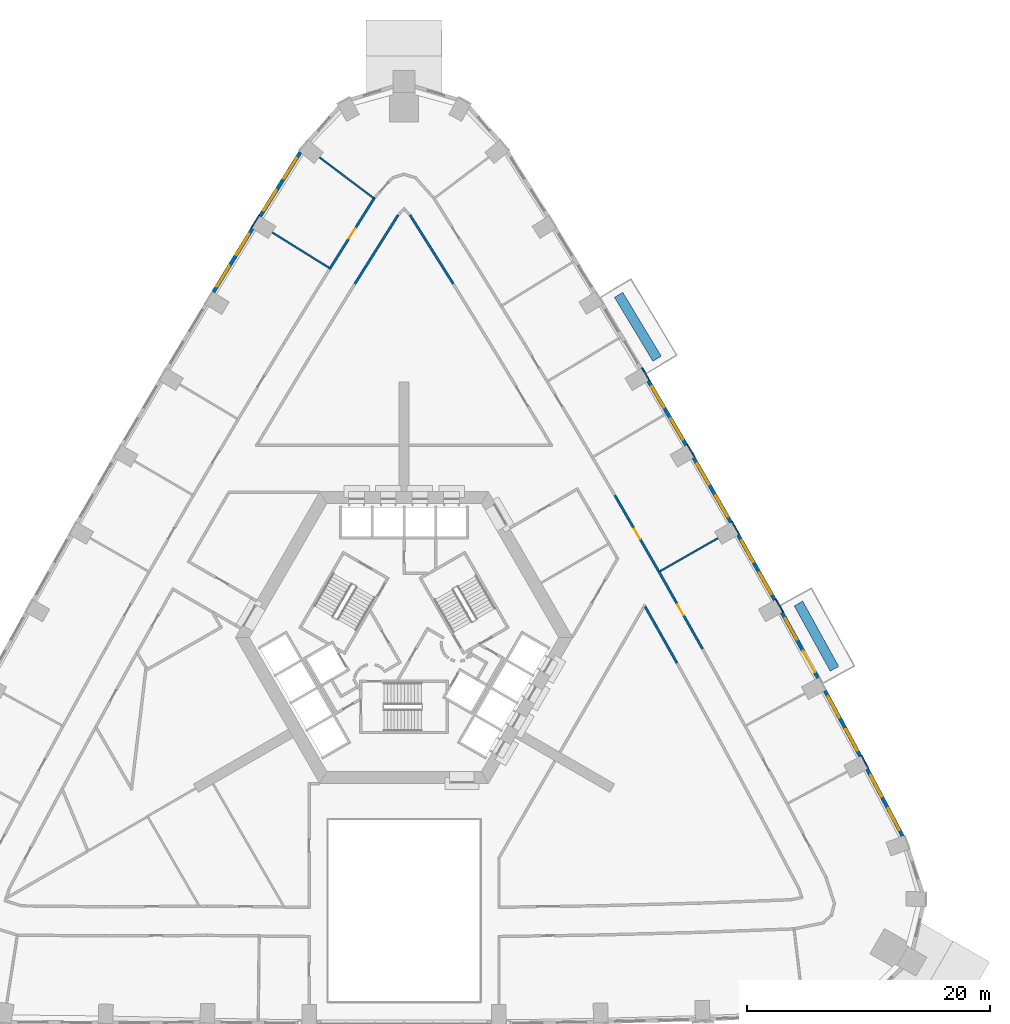
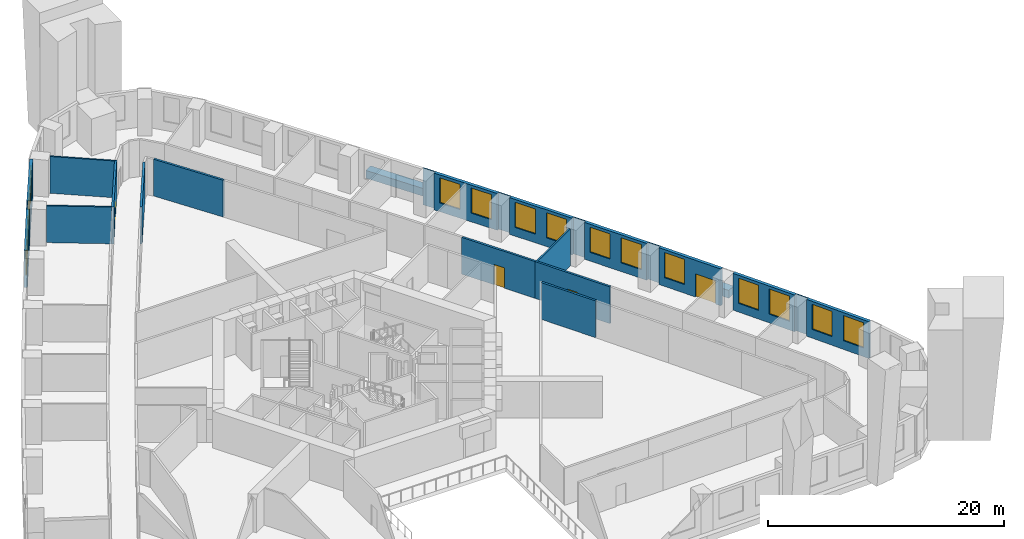
# One storey, part 11 of 16: 25 walls, 15 windows, 4 doors, 19 openings.
"""IFC4 building model written with IfcOpenShell, lengths in metres."""

from ifc_helpers import new_model, si_unit, direction, frame, frame_2d, origin, place, context, subcontext, project, spatial, rectangle, extrude, material, layer, layer_set, type_object, element, fill, save


model = new_model("IFC4")

# Units and contexts
model_context = context("Model", 3, precision=1e-05, world=origin(), true_north=direction((0.0, 1.0)))
body_context = subcontext(model_context, "Body", "Model", "MODEL_VIEW")
ifc_project = project(units=[si_unit("LENGTHUNIT", "METRE"), si_unit("AREAUNIT", "SQUARE_METRE"), si_unit("VOLUMEUNIT", "CUBIC_METRE"), si_unit("PLANEANGLEUNIT", "RADIAN"), si_unit("MASSUNIT", "GRAM", prefix="KILO")], contexts=[model_context])

# Site, building, storey
site_placement = place(None, origin())
site = spatial("IfcSite", under=ifc_project, at=site_placement, CompositionType="ELEMENT")
building_placement = place(site_placement, origin())
building = spatial("IfcBuilding", under=site, at=building_placement, Name="Entoto Arch Interchange Tower", CompositionType="ELEMENT")
storey_placement = place(building_placement, frame((0.0, 0.0, 60.199951171875)))
storey = spatial("IfcBuildingStorey", under=building, at=storey_placement, Name="L12", CompositionType="ELEMENT", Elevation=60.199951171875)

# Walls
ifc_material_1 = material(Name="Gypsum board partition on steel studs", Category="steel")
ifc_layer_1 = layer(ifc_material_1, 0.14990234375)
ifc_layer_set_1 = layer_set([ifc_layer_1], Name="Gypsum board partition on steel studs")
wall_type_1 = type_object("IfcWallType", Name="PARTITION 150", PredefinedType="PARTITIONING", material=ifc_layer_set_1)
wall_1_placement = place(storey_placement, frame((21.032958984375, 7.952880859375, 0.0), z_axis=(0.0, 0.0, 1.0), x_axis=(0.868311678357, 0.496018980715, 0.0)))
element("IfcWall", 1, at=wall_1_placement, inside=storey, type_object=wall_type_1, Name="wall:L12:p137", PredefinedType="PARTITIONING", context=body_context, shape_type="SweptSolid", body=[
    extrude(rectangle(XDim=5.479736328125, YDim=0.14990234375, at=frame_2d((2.73974609375, 0.0))), origin(), (0.0, 0.0, 1.0), 3.800048828125),
])
wall_2_placement = place(storey_placement, frame((-2.466064453125, 38.580078125, 0.0), z_axis=(0.0, 0.0, 1.0), x_axis=(-0.798796148738, 0.601601789193, 0.0)))
element("IfcWall", 2, at=wall_2_placement, inside=storey, type_object=wall_type_1, Name="wall:L12:p142", PredefinedType="PARTITIONING", context=body_context, shape_type="SweptSolid", body=[
    extrude(rectangle(XDim=5.604736328125, YDim=0.14990234375, at=frame_2d((2.80224609375, 0.0))), origin(), (0.0, 0.0, 1.0), 3.800048828125),
])
wall_3_placement = place(storey_placement, frame((-6.166015625, 32.885009765625, 0.0), z_axis=(0.0, 0.0, 1.0), x_axis=(-0.84915518202, 0.528143424506, 0.0)))
element("IfcWall", 3, at=wall_3_placement, inside=storey, type_object=wall_type_1, Name="wall:L12:p143", PredefinedType="PARTITIONING", context=body_context, shape_type="SweptSolid", body=[
    extrude(rectangle(XDim=5.479736328125, YDim=0.14990234375, at=frame_2d((2.73974609375, 0.0))), origin(), (0.0, 0.0, 1.0), 3.800048828125),
])
ifc_layer_2 = layer(ifc_material_1, 0.199951171875)
ifc_layer_set_2 = layer_set([ifc_layer_2], Name="Gypsum board partition on steel studs")
wall_type_2 = type_object("IfcWallType", Name="PARTITION 200", PredefinedType="PARTITIONING", material=ifc_layer_set_2)
for number, where, z_axis, x_axis, name in (
    (4, (4.04296875, 31.56396484375, 0.0), (0.0, 0.0, 1.0), (-0.532301094997, 0.846555104092, 0.0), "wall:L12:p011"),
    (5, (-0.489013671875, 37.216064453125, 0.0), (0.0, 0.0, 1.0), (-0.532301094997, -0.846555104092, 0.0), "wall:L12:p014"),
):
    element("IfcWall", number, at=place(storey_placement, frame(where, z_axis=z_axis, x_axis=x_axis)), inside=storey, type_object=wall_type_2, Name=name, PredefinedType="PARTITIONING", context=body_context, shape_type="SweptSolid", body=[
        extrude(rectangle(XDim=6.676513671875, YDim=0.199951171875, at=frame_2d((3.33837890625, 0.0))), origin(), (0.0, 0.0, 1.0), 3.800048828125),
    ])
wall_4_placement = place(storey_placement, frame((22.419921875, 0.4150390625, 0.0), z_axis=(0.0, 0.0, 1.0), x_axis=(-0.491823859571, 0.870694717543, 0.0)))
element("IfcWall", 6, at=wall_4_placement, inside=storey, type_object=wall_type_2, Name="wall:L12:p026", PredefinedType="PARTITIONING", context=body_context, shape_type="SweptSolid", body=[
    extrude(rectangle(XDim=5.30859375, YDim=0.199951171875, at=frame_2d((2.654296875, 0.0))), origin(), (0.0, 0.0, 1.0), 3.800048828125),
])

# Wall, opening, door
wall_5_placement = place(storey_placement, frame((20.908935546875, 7.968994140625, 0.0), z_axis=(0.0, 0.0, 1.0), x_axis=(0.491808171064, -0.870703579225, 0.0)))
wall_5 = element("IfcWall", 7, at=wall_5_placement, inside=storey, type_object=wall_type_2, Name="wall:L12:p052", PredefinedType="PARTITIONING", context=body_context, shape_type="SweptSolid", body=[
    extrude(rectangle(XDim=7.33203125, YDim=0.199951171875, at=frame_2d((3.666015625, 0.0))), origin(), (0.0, 0.0, 1.0), 3.800048828125),
])
opening_1_placement = place(wall_5_placement, frame((3.166015625, 0.0, 0.0)))
opening_1 = element("IfcOpeningElement", 8, at=opening_1_placement, cuts=wall_5, Name="Opening L12-D04", PredefinedType="OPENING", context=body_context, shape_type="SweptSolid", body=[
    extrude(rectangle(XDim=1.0, YDim=2.10009765625, at=frame_2d((0.5, 1.050048828125))), frame((0.0, 0.10986328125, 0.0), z_axis=(0.0, -1.0, 0.0), x_axis=(1.0, 0.0, 0.0)), (0.0, 0.0, 1.0), 0.219970703125),
])
ifc_material_2 = material(Name="Timber door leaf in Steel S235 frame", Category="steel")
door_type_1 = type_object("IfcDoorType", Name="DOOR DS-10 1000x2100", OperationType="SINGLE_SWING_LEFT", PredefinedType="DOOR", material=ifc_material_2)
door_1_placement = place(opening_1_placement, origin())
door_1 = element("IfcDoor", 9, at=door_1_placement, inside=storey, type_object=door_type_1, Name="door:L12:04", OperationType="SINGLE_SWING_RIGHT", OverallHeight=2.10009765625, OverallWidth=1.0, PredefinedType="DOOR", context=body_context, shape_type="SweptSolid", body=[
    extrude(rectangle(XDim=1.0, YDim=2.10009765625, at=frame_2d((0.5, 1.050048828125))), frame((0.0, 0.02490234375, 0.0), z_axis=(0.0, -1.0, 0.0), x_axis=(1.0, 0.0, 0.0)), (0.0, 0.0, 1.0), 0.050048828125),
])
fill(opening_1, door_1)

wall_6_placement = place(storey_placement, frame((17.318115234375, 14.18701171875, 0.0), z_axis=(0.0, 0.0, 1.0), x_axis=(0.499986381413, -0.866033266336, 0.0)))
wall_6 = element("IfcWall", 10, at=wall_6_placement, inside=storey, type_object=wall_type_2, Name="wall:L12:p055", PredefinedType="PARTITIONING", context=body_context, shape_type="SweptSolid", body=[
    extrude(rectangle(XDim=7.179931640625, YDim=0.199951171875, at=frame_2d((3.58984375, 0.0))), origin(), (0.0, 0.0, 1.0), 3.800048828125),
])
opening_2_placement = place(wall_6_placement, frame((3.1650390625, 0.0, 0.0)))
opening_2 = element("IfcOpeningElement", 11, at=opening_2_placement, cuts=wall_6, Name="Opening L12-D05", PredefinedType="OPENING", context=body_context, shape_type="SweptSolid", body=[
    extrude(rectangle(XDim=1.0, YDim=2.10009765625, at=frame_2d((0.5, 1.050048828125))), frame((0.0, 0.10986328125, 0.0), z_axis=(0.0, -1.0, 0.0), x_axis=(1.0, 0.0, 0.0)), (0.0, 0.0, 1.0), 0.219970703125),
])
door_2_placement = place(opening_2_placement, origin())
door_2 = element("IfcDoor", 12, at=door_2_placement, inside=storey, type_object=door_type_1, Name="door:L12:05", OperationType="SINGLE_SWING_LEFT", OverallHeight=2.10009765625, OverallWidth=1.0, PredefinedType="DOOR", context=body_context, shape_type="SweptSolid", body=[
    extrude(rectangle(XDim=1.0, YDim=2.10009765625, at=frame_2d((0.5, 1.050048828125))), frame((0.0, 0.02490234375, 0.0), z_axis=(0.0, -1.0, 0.0), x_axis=(1.0, 0.0, 0.0)), (0.0, 0.0, 1.0), 0.050048828125),
])
fill(opening_2, door_2)

wall_7_placement = place(storey_placement, frame((-6.12109375, 32.76806640625, 0.0), z_axis=(0.0, 0.0, 1.0), x_axis=(0.532309351336, 0.846549912574, 0.0)))
wall_7 = element("IfcWall", 13, at=wall_7_placement, inside=storey, type_object=wall_type_2, Name="wall:L12:p066", PredefinedType="PARTITIONING", context=body_context, shape_type="SweptSolid", body=[
    extrude(rectangle(XDim=6.9658203125, YDim=0.199951171875, at=frame_2d((3.48291015625, 0.0))), origin(), (0.0, 0.0, 1.0), 3.800048828125),
])
opening_3_placement = place(wall_7_placement, frame((2.98291015625, 0.0, 0.0)))
opening_3 = element("IfcOpeningElement", 14, at=opening_3_placement, cuts=wall_7, Name="Opening L12-D10", PredefinedType="OPENING", context=body_context, shape_type="SweptSolid", body=[
    extrude(rectangle(XDim=1.0, YDim=2.10009765625, at=frame_2d((0.5, 1.050048828125))), frame((0.0, 0.10986328125, 0.0), z_axis=(0.0, -1.0, 0.0), x_axis=(1.0, 0.0, 0.0)), (0.0, 0.0, 1.0), 0.219970703125),
])
door_3_placement = place(opening_3_placement, origin())
door_3 = element("IfcDoor", 15, at=door_3_placement, inside=storey, type_object=door_type_1, Name="door:L12:10", OperationType="SINGLE_SWING_LEFT", OverallHeight=2.10009765625, OverallWidth=1.0, PredefinedType="DOOR", context=body_context, shape_type="SweptSolid", body=[
    extrude(rectangle(XDim=1.0, YDim=2.10009765625, at=frame_2d((0.5, 1.050048828125))), frame((0.0, 0.02490234375, 0.0), z_axis=(0.0, -1.0, 0.0), x_axis=(1.0, 0.0, 0.0)), (0.0, 0.0, 1.0), 0.050048828125),
])
fill(opening_3, door_3)

# Walls
ifc_material_3 = material(Name="Board-marked precast concrete C50/60", Category="concrete")
ifc_layer_3 = layer(ifc_material_3, 0.800048828125)
ifc_layer_set_3 = layer_set([ifc_layer_3], Name="Board-marked precast concrete C50/60")
wall_type_3 = type_object("IfcWallType", Name="PLANTER RC 800 Afrocarpus falcatus", PredefinedType="STANDARD", material=ifc_layer_set_3)
wall_8_placement = place(storey_placement, frame((20.7890625, 25.4130859375, 0.0), z_axis=(0.0, 0.0, 1.0), x_axis=(-0.516130324979, 0.856510062776, 0.0)))
element("IfcWall", 16, at=wall_8_placement, inside=storey, type_object=wall_type_3, Name="Planter NE-07 L12", PredefinedType="STANDARD", context=body_context, shape_type="SweptSolid", body=[
    extrude(rectangle(XDim=6.124755859375, YDim=0.800048828125, at=frame_2d((3.0625, 0.0))), origin(), (0.0, 0.0, 1.0), 0.800048828125),
])
ifc_layer_4 = layer(ifc_material_3, 0.800048828125)
ifc_layer_set_4 = layer_set([ifc_layer_4], Name="Board-marked precast concrete C50/60")
wall_type_4 = type_object("IfcWallType", Name="PLANTER RC 800 Hagenia abyssinica", PredefinedType="STANDARD", material=ifc_layer_set_4)
wall_9_placement = place(storey_placement, frame((35.364990234375, -0.06298828125, 0.0), z_axis=(0.0, 0.0, 1.0), x_axis=(-0.48346510207, 0.875363635914, 0.0)))
element("IfcWall", 17, at=wall_9_placement, inside=storey, type_object=wall_type_4, Name="Planter NE-03 L12", PredefinedType="STANDARD", context=body_context, shape_type="SweptSolid", body=[
    extrude(rectangle(XDim=6.12451171875, YDim=0.800048828125, at=frame_2d((3.062255859375, 0.0))), origin(), (0.0, 0.0, 1.0), 0.800048828125),
])

# Wall, openings, windows
ifc_material_4 = material(Name="Welded tuff (ignimbrite) cladding, warm buff", Category="masonry")
ifc_layer_5 = layer(ifc_material_4, 0.300048828125)
ifc_layer_set_5 = layer_set([ifc_layer_5], Name="Welded tuff (ignimbrite) cladding, warm buff")
wall_type_5 = type_object("IfcWallType", Name="STONE INFILL WALL 300", PredefinedType="STANDARD", material=ifc_layer_set_5)
wall_10_placement = place(storey_placement, frame((40.964111328125, -13.81005859375, 0.0), z_axis=(0.0, 0.0, 1.0), x_axis=(-0.467041710902, 0.884235285587, 0.0)))
wall_10 = element("IfcWall", 18, at=wall_10_placement, inside=storey, type_object=wall_type_5, Name="Facade wall NE-01 L12", PredefinedType="STANDARD", context=body_context, shape_type="SweptSolid", body=[
    extrude(rectangle(XDim=6.219970703125, YDim=0.300048828125, at=frame_2d((3.10986328125, 0.0))), origin(), (0.0, 0.0, 1.0), 3.800048828125),
])
opening_4_placement = place(wall_10_placement, frame((0.554931640625, 0.0, 0.89990234375)))
opening_4 = element("IfcOpeningElement", 19, at=opening_4_placement, cuts=wall_10, Name="Opening WO-C", PredefinedType="OPENING", context=body_context, shape_type="SweptSolid", body=[
    extrude(rectangle(XDim=2.0, YDim=2.60009765625, at=frame_2d((1.0, 1.300048828125))), frame((0.0, 0.16015625, 0.0), z_axis=(0.0, -1.0, 0.0), x_axis=(1.0, 0.0, 0.0)), (0.0, 0.0, 1.0), 0.320068359375),
])
opening_5_placement = place(wall_10_placement, frame((3.6650390625, 0.0, 0.89990234375)))
opening_5 = element("IfcOpeningElement", 20, at=opening_5_placement, cuts=wall_10, Name="Opening WO-C", PredefinedType="OPENING", context=body_context, shape_type="SweptSolid", body=[
    extrude(rectangle(XDim=2.0, YDim=2.60009765625, at=frame_2d((1.0, 1.300048828125))), frame((0.0, 0.16015625, 0.0), z_axis=(0.0, -1.0, 0.0), x_axis=(1.0, 0.0, 0.0)), (0.0, 0.0, 1.0), 0.320068359375),
])
ifc_material_5 = material(Name="Clear glass, low-e double glazed", Category="glass")
window_type = type_object("IfcWindowType", Name="WINDOW WO-C 2000x2600", PartitioningType="DOUBLE_PANEL_VERTICAL", PredefinedType="WINDOW", material=ifc_material_5)
window_1_placement = place(opening_4_placement, origin())
window_1 = element("IfcWindow", 21, at=window_1_placement, inside=storey, type_object=window_type, Name="Window WO-C NE-01 L12", OverallHeight=2.60009765625, OverallWidth=2.0, PartitioningType="SINGLE_PANEL", PredefinedType="WINDOW", context=body_context, shape_type="SweptSolid", body=[
    extrude(rectangle(XDim=2.0, YDim=2.60009765625, at=frame_2d((1.0, 1.300048828125))), frame((0.0, 0.030029296875, 0.0), z_axis=(0.0, -1.0, 0.0), x_axis=(1.0, 0.0, 0.0)), (0.0, 0.0, 1.0), 0.06005859375),
])
fill(opening_4, window_1)
window_2_placement = place(opening_5_placement, origin())
window_2 = element("IfcWindow", 22, at=window_2_placement, inside=storey, type_object=window_type, Name="Window WO-C NE-01 L12", OverallHeight=2.60009765625, OverallWidth=2.0, PartitioningType="SINGLE_PANEL", PredefinedType="WINDOW", context=body_context, shape_type="SweptSolid", body=[
    extrude(rectangle(XDim=2.0, YDim=2.60009765625, at=frame_2d((1.0, 1.300048828125))), frame((0.0, 0.030029296875, 0.0), z_axis=(0.0, -1.0, 0.0), x_axis=(1.0, 0.0, 0.0)), (0.0, 0.0, 1.0), 0.06005859375),
])
fill(opening_5, window_2)

wall_11_placement = place(storey_placement, frame((37.4951171875, -7.2529296875, 0.0), z_axis=(0.0, 0.0, 1.0), x_axis=(-0.475413659872, 0.879762383833, 0.0)))
wall_11 = element("IfcWall", 23, at=wall_11_placement, inside=storey, type_object=wall_type_5, Name="Facade wall NE-02 L12", PredefinedType="STANDARD", context=body_context, shape_type="SweptSolid", body=[
    extrude(rectangle(XDim=6.12548828125, YDim=0.300048828125, at=frame_2d((3.062744140625, 0.0))), origin(), (0.0, 0.0, 1.0), 3.800048828125),
])
opening_6_placement = place(wall_11_placement, frame((0.531005859375, 0.0, 0.89990234375)))
opening_6 = element("IfcOpeningElement", 24, at=opening_6_placement, cuts=wall_11, Name="Opening WO-C", PredefinedType="OPENING", context=body_context, shape_type="SweptSolid", body=[
    extrude(rectangle(XDim=2.0, YDim=2.60009765625, at=frame_2d((1.0, 1.300048828125))), frame((0.0, 0.16015625, 0.0), z_axis=(0.0, -1.0, 0.0), x_axis=(1.0, 0.0, 0.0)), (0.0, 0.0, 1.0), 0.320068359375),
])
opening_7_placement = place(wall_11_placement, frame((3.593994140625, 0.0, 0.89990234375)))
opening_7 = element("IfcOpeningElement", 25, at=opening_7_placement, cuts=wall_11, Name="Opening WO-C", PredefinedType="OPENING", context=body_context, shape_type="SweptSolid", body=[
    extrude(rectangle(XDim=2.0, YDim=2.60009765625, at=frame_2d((1.0, 1.300048828125))), frame((0.0, 0.16015625, 0.0), z_axis=(0.0, -1.0, 0.0), x_axis=(1.0, 0.0, 0.0)), (0.0, 0.0, 1.0), 0.320068359375),
])
window_3_placement = place(opening_6_placement, origin())
window_3 = element("IfcWindow", 26, at=window_3_placement, inside=storey, type_object=window_type, Name="Window WO-C NE-02 L12", OverallHeight=2.60009765625, OverallWidth=2.0, PartitioningType="SINGLE_PANEL", PredefinedType="WINDOW", context=body_context, shape_type="SweptSolid", body=[
    extrude(rectangle(XDim=2.0, YDim=2.60009765625, at=frame_2d((1.0, 1.300048828125))), frame((0.0, 0.030029296875, 0.0), z_axis=(0.0, -1.0, 0.0), x_axis=(1.0, 0.0, 0.0)), (0.0, 0.0, 1.0), 0.06005859375),
])
fill(opening_6, window_3)
window_4_placement = place(opening_7_placement, origin())
window_4 = element("IfcWindow", 27, at=window_4_placement, inside=storey, type_object=window_type, Name="Window WO-C NE-02 L12", OverallHeight=2.60009765625, OverallWidth=2.0, PartitioningType="SINGLE_PANEL", PredefinedType="WINDOW", context=body_context, shape_type="SweptSolid", body=[
    extrude(rectangle(XDim=2.0, YDim=2.60009765625, at=frame_2d((1.0, 1.300048828125))), frame((0.0, 0.030029296875, 0.0), z_axis=(0.0, -1.0, 0.0), x_axis=(1.0, 0.0, 0.0)), (0.0, 0.0, 1.0), 0.06005859375),
])
fill(opening_7, window_4)

# Wall, openings, door, window
wall_12_placement = place(storey_placement, frame((34.009033203125, -0.81201171875, 0.0), z_axis=(0.0, 0.0, 1.0), x_axis=(-0.483587271547, 0.875296150339, 0.0)))
wall_12 = element("IfcWall", 28, at=wall_12_placement, inside=storey, type_object=wall_type_5, Name="Facade wall NE-03 L12", PredefinedType="STANDARD", context=body_context, shape_type="SweptSolid", body=[
    extrude(rectangle(XDim=6.125, YDim=0.300048828125, at=frame_2d((3.0625, 0.0))), origin(), (0.0, 0.0, 1.0), 3.800048828125),
])
opening_8_placement = place(wall_12_placement, frame((0.531005859375, 0.0, 0.0)))
opening_8 = element("IfcOpeningElement", 29, at=opening_8_placement, cuts=wall_12, Name="Opening DB-NE-03-L12", PredefinedType="OPENING", context=body_context, shape_type="SweptSolid", body=[
    extrude(rectangle(XDim=2.0, YDim=2.39990234375, at=frame_2d((1.0, 1.199951171875))), frame((0.0, 0.16015625, 0.0), z_axis=(0.0, -1.0, 0.0), x_axis=(1.0, 0.0, 0.0)), (0.0, 0.0, 1.0), 0.320068359375),
])
opening_9_placement = place(wall_12_placement, frame((3.593994140625, 0.0, 0.89990234375)))
opening_9 = element("IfcOpeningElement", 30, at=opening_9_placement, cuts=wall_12, Name="Opening WO-C", PredefinedType="OPENING", context=body_context, shape_type="SweptSolid", body=[
    extrude(rectangle(XDim=2.0, YDim=2.60009765625, at=frame_2d((1.0, 1.300048828125))), frame((0.0, 0.16015625, 0.0), z_axis=(0.0, -1.0, 0.0), x_axis=(1.0, 0.0, 0.0)), (0.0, 0.0, 1.0), 0.320068359375),
])
ifc_material_6 = material(Name="Aluminium and clear glass, anodised", Category="aluminium")
door_type_2 = type_object("IfcDoorType", Name="BALCONY DOOR DB 2000x2400", OperationType="SLIDING_TO_LEFT", PredefinedType="DOOR", material=ifc_material_6)
door_4_placement = place(opening_8_placement, origin())
door_4 = element("IfcDoor", 31, at=door_4_placement, inside=storey, type_object=door_type_2, Name="Balcony door NE-03 L12", OperationType="SLIDING_TO_LEFT", OverallHeight=2.39990234375, OverallWidth=2.0, PredefinedType="DOOR", context=body_context, shape_type="SweptSolid", body=[
    extrude(rectangle(XDim=2.0, YDim=2.39990234375, at=frame_2d((1.0, 1.199951171875))), frame((0.0, 0.02490234375, 0.0), z_axis=(0.0, -1.0, 0.0), x_axis=(1.0, 0.0, 0.0)), (0.0, 0.0, 1.0), 0.050048828125),
])
fill(opening_8, door_4)
window_5_placement = place(opening_9_placement, origin())
window_5 = element("IfcWindow", 32, at=window_5_placement, inside=storey, type_object=window_type, Name="Window WO-C NE-03 L12", OverallHeight=2.60009765625, OverallWidth=2.0, PartitioningType="SINGLE_PANEL", PredefinedType="WINDOW", context=body_context, shape_type="SweptSolid", body=[
    extrude(rectangle(XDim=2.0, YDim=2.60009765625, at=frame_2d((1.0, 1.300048828125))), frame((0.0, 0.030029296875, 0.0), z_axis=(0.0, -1.0, 0.0), x_axis=(1.0, 0.0, 0.0)), (0.0, 0.0, 1.0), 0.06005859375),
])
fill(opening_9, window_5)

# Wall, openings, windows
wall_13_placement = place(storey_placement, frame((30.4619140625, 5.594970703125, 0.0), z_axis=(0.0, 0.0, 1.0), x_axis=(-0.491887822214, 0.870658584267, 0.0)))
wall_13 = element("IfcWall", 33, at=wall_13_placement, inside=storey, type_object=wall_type_5, Name="Facade wall NE-04 L12", PredefinedType="STANDARD", context=body_context, shape_type="SweptSolid", body=[
    extrude(rectangle(XDim=6.125244140625, YDim=0.300048828125, at=frame_2d((3.0625, 0.0))), origin(), (0.0, 0.0, 1.0), 3.800048828125),
])
opening_10_placement = place(wall_13_placement, frame((0.531005859375, 0.0, 0.89990234375)))
opening_10 = element("IfcOpeningElement", 34, at=opening_10_placement, cuts=wall_13, Name="Opening WO-C", PredefinedType="OPENING", context=body_context, shape_type="SweptSolid", body=[
    extrude(rectangle(XDim=2.0, YDim=2.60009765625, at=frame_2d((1.0, 1.300048828125))), frame((0.0, 0.16015625, 0.0), z_axis=(0.0, -1.0, 0.0), x_axis=(1.0, 0.0, 0.0)), (0.0, 0.0, 1.0), 0.320068359375),
])
opening_11_placement = place(wall_13_placement, frame((3.593994140625, 0.0, 0.89990234375)))
opening_11 = element("IfcOpeningElement", 35, at=opening_11_placement, cuts=wall_13, Name="Opening WO-C", PredefinedType="OPENING", context=body_context, shape_type="SweptSolid", body=[
    extrude(rectangle(XDim=2.0, YDim=2.60009765625, at=frame_2d((1.0, 1.300048828125))), frame((0.0, 0.16015625, 0.0), z_axis=(0.0, -1.0, 0.0), x_axis=(1.0, 0.0, 0.0)), (0.0, 0.0, 1.0), 0.320068359375),
])
window_6_placement = place(opening_10_placement, origin())
window_6 = element("IfcWindow", 36, at=window_6_placement, inside=storey, type_object=window_type, Name="Window WO-C NE-04 L12", OverallHeight=2.60009765625, OverallWidth=2.0, PartitioningType="SINGLE_PANEL", PredefinedType="WINDOW", context=body_context, shape_type="SweptSolid", body=[
    extrude(rectangle(XDim=2.0, YDim=2.60009765625, at=frame_2d((1.0, 1.300048828125))), frame((0.0, 0.030029296875, 0.0), z_axis=(0.0, -1.0, 0.0), x_axis=(1.0, 0.0, 0.0)), (0.0, 0.0, 1.0), 0.06005859375),
])
fill(opening_10, window_6)
window_7_placement = place(opening_11_placement, origin())
window_7 = element("IfcWindow", 37, at=window_7_placement, inside=storey, type_object=window_type, Name="Window WO-C NE-04 L12", OverallHeight=2.60009765625, OverallWidth=2.0, PartitioningType="SINGLE_PANEL", PredefinedType="WINDOW", context=body_context, shape_type="SweptSolid", body=[
    extrude(rectangle(XDim=2.0, YDim=2.60009765625, at=frame_2d((1.0, 1.300048828125))), frame((0.0, 0.030029296875, 0.0), z_axis=(0.0, -1.0, 0.0), x_axis=(1.0, 0.0, 0.0)), (0.0, 0.0, 1.0), 0.06005859375),
])
fill(opening_11, window_7)

wall_14_placement = place(storey_placement, frame((26.85498046875, 11.968017578125, 0.0), z_axis=(0.0, 0.0, 1.0), x_axis=(-0.499903021601, 0.86608138705, 0.0)))
wall_14 = element("IfcWall", 38, at=wall_14_placement, inside=storey, type_object=wall_type_5, Name="Facade wall NE-05 L12", PredefinedType="STANDARD", context=body_context, shape_type="SweptSolid", body=[
    extrude(rectangle(XDim=6.125244140625, YDim=0.300048828125, at=frame_2d((3.0625, 0.0))), origin(), (0.0, 0.0, 1.0), 3.800048828125),
])
opening_12_placement = place(wall_14_placement, frame((0.531005859375, 0.0, 0.89990234375)))
opening_12 = element("IfcOpeningElement", 39, at=opening_12_placement, cuts=wall_14, Name="Opening WO-C", PredefinedType="OPENING", context=body_context, shape_type="SweptSolid", body=[
    extrude(rectangle(XDim=2.0, YDim=2.60009765625, at=frame_2d((1.0, 1.300048828125))), frame((0.0, 0.16015625, 0.0), z_axis=(0.0, -1.0, 0.0), x_axis=(1.0, 0.0, 0.0)), (0.0, 0.0, 1.0), 0.320068359375),
])
opening_13_placement = place(wall_14_placement, frame((3.593994140625, 0.0, 0.89990234375)))
opening_13 = element("IfcOpeningElement", 40, at=opening_13_placement, cuts=wall_14, Name="Opening WO-C", PredefinedType="OPENING", context=body_context, shape_type="SweptSolid", body=[
    extrude(rectangle(XDim=2.0, YDim=2.60009765625, at=frame_2d((1.0, 1.300048828125))), frame((0.0, 0.16015625, 0.0), z_axis=(0.0, -1.0, 0.0), x_axis=(1.0, 0.0, 0.0)), (0.0, 0.0, 1.0), 0.320068359375),
])
window_8_placement = place(opening_12_placement, origin())
window_8 = element("IfcWindow", 41, at=window_8_placement, inside=storey, type_object=window_type, Name="Window WO-C NE-05 L12", OverallHeight=2.60009765625, OverallWidth=2.0, PartitioningType="SINGLE_PANEL", PredefinedType="WINDOW", context=body_context, shape_type="SweptSolid", body=[
    extrude(rectangle(XDim=2.0, YDim=2.60009765625, at=frame_2d((1.0, 1.300048828125))), frame((0.0, 0.030029296875, 0.0), z_axis=(0.0, -1.0, 0.0), x_axis=(1.0, 0.0, 0.0)), (0.0, 0.0, 1.0), 0.06005859375),
])
fill(opening_12, window_8)
window_9_placement = place(opening_13_placement, origin())
window_9 = element("IfcWindow", 42, at=window_9_placement, inside=storey, type_object=window_type, Name="Window WO-C NE-05 L12", OverallHeight=2.60009765625, OverallWidth=2.0, PartitioningType="SINGLE_PANEL", PredefinedType="WINDOW", context=body_context, shape_type="SweptSolid", body=[
    extrude(rectangle(XDim=2.0, YDim=2.60009765625, at=frame_2d((1.0, 1.300048828125))), frame((0.0, 0.030029296875, 0.0), z_axis=(0.0, -1.0, 0.0), x_axis=(1.0, 0.0, 0.0)), (0.0, 0.0, 1.0), 0.06005859375),
])
fill(opening_13, window_9)

wall_15_placement = place(storey_placement, frame((23.18896484375, 18.306884765625, 0.0), z_axis=(0.0, 0.0, 1.0), x_axis=(-0.508163938648, 0.861260362177, 0.0)))
wall_15 = element("IfcWall", 43, at=wall_15_placement, inside=storey, type_object=wall_type_5, Name="Facade wall NE-06 L12", PredefinedType="STANDARD", context=body_context, shape_type="SweptSolid", body=[
    extrude(rectangle(XDim=6.1259765625, YDim=0.300048828125, at=frame_2d((3.06298828125, 0.0))), origin(), (0.0, 0.0, 1.0), 3.800048828125),
])
opening_14_placement = place(wall_15_placement, frame((0.531005859375, 0.0, 0.89990234375)))
opening_14 = element("IfcOpeningElement", 44, at=opening_14_placement, cuts=wall_15, Name="Opening WO-C", PredefinedType="OPENING", context=body_context, shape_type="SweptSolid", body=[
    extrude(rectangle(XDim=2.0, YDim=2.60009765625, at=frame_2d((1.0, 1.300048828125))), frame((0.0, 0.16015625, 0.0), z_axis=(0.0, -1.0, 0.0), x_axis=(1.0, 0.0, 0.0)), (0.0, 0.0, 1.0), 0.320068359375),
])
opening_15_placement = place(wall_15_placement, frame((3.593994140625, 0.0, 0.89990234375)))
opening_15 = element("IfcOpeningElement", 45, at=opening_15_placement, cuts=wall_15, Name="Opening WO-C", PredefinedType="OPENING", context=body_context, shape_type="SweptSolid", body=[
    extrude(rectangle(XDim=2.0, YDim=2.60009765625, at=frame_2d((1.0, 1.300048828125))), frame((0.0, 0.16015625, 0.0), z_axis=(0.0, -1.0, 0.0), x_axis=(1.0, 0.0, 0.0)), (0.0, 0.0, 1.0), 0.320068359375),
])
window_10_placement = place(opening_14_placement, origin())
window_10 = element("IfcWindow", 46, at=window_10_placement, inside=storey, type_object=window_type, Name="Window WO-C NE-06 L12", OverallHeight=2.60009765625, OverallWidth=2.0, PartitioningType="SINGLE_PANEL", PredefinedType="WINDOW", context=body_context, shape_type="SweptSolid", body=[
    extrude(rectangle(XDim=2.0, YDim=2.60009765625, at=frame_2d((1.0, 1.300048828125))), frame((0.0, 0.030029296875, 0.0), z_axis=(0.0, -1.0, 0.0), x_axis=(1.0, 0.0, 0.0)), (0.0, 0.0, 1.0), 0.06005859375),
])
fill(opening_14, window_10)
window_11_placement = place(opening_15_placement, origin())
window_11 = element("IfcWindow", 47, at=window_11_placement, inside=storey, type_object=window_type, Name="Window WO-C NE-06 L12", OverallHeight=2.60009765625, OverallWidth=2.0, PartitioningType="SINGLE_PANEL", PredefinedType="WINDOW", context=body_context, shape_type="SweptSolid", body=[
    extrude(rectangle(XDim=2.0, YDim=2.60009765625, at=frame_2d((1.0, 1.300048828125))), frame((0.0, 0.030029296875, 0.0), z_axis=(0.0, -1.0, 0.0), x_axis=(1.0, 0.0, 0.0)), (0.0, 0.0, 1.0), 0.06005859375),
])
fill(opening_15, window_11)

wall_16_placement = place(storey_placement, frame((-8.52294921875, 42.3798828125, 0.0), z_axis=(0.0, 0.0, 1.0), x_axis=(-0.532322705893, -0.846541515102, 0.0)))
wall_16 = element("IfcWall", 48, at=wall_16_placement, inside=storey, type_object=wall_type_5, Name="Facade wall NW-01 L12", PredefinedType="STANDARD", context=body_context, shape_type="SweptSolid", body=[
    extrude(rectangle(XDim=6.21826171875, YDim=0.300048828125, at=frame_2d((3.109130859375, 0.0))), origin(), (0.0, 0.0, 1.0), 3.800048828125),
])
opening_16_placement = place(wall_16_placement, frame((0.554931640625, 0.0, 0.89990234375)))
opening_16 = element("IfcOpeningElement", 49, at=opening_16_placement, cuts=wall_16, Name="Opening WO-C", PredefinedType="OPENING", context=body_context, shape_type="SweptSolid", body=[
    extrude(rectangle(XDim=2.0, YDim=2.60009765625, at=frame_2d((1.0, 1.300048828125))), frame((0.0, 0.16015625, 0.0), z_axis=(0.0, -1.0, 0.0), x_axis=(1.0, 0.0, 0.0)), (0.0, 0.0, 1.0), 0.320068359375),
])
opening_17_placement = place(wall_16_placement, frame((3.6640625, 0.0, 0.89990234375)))
opening_17 = element("IfcOpeningElement", 50, at=opening_17_placement, cuts=wall_16, Name="Opening WO-C", PredefinedType="OPENING", context=body_context, shape_type="SweptSolid", body=[
    extrude(rectangle(XDim=2.0, YDim=2.60009765625, at=frame_2d((1.0, 1.300048828125))), frame((0.0, 0.16015625, 0.0), z_axis=(0.0, -1.0, 0.0), x_axis=(1.0, 0.0, 0.0)), (0.0, 0.0, 1.0), 0.320068359375),
])
window_12_placement = place(opening_16_placement, origin())
window_12 = element("IfcWindow", 51, at=window_12_placement, inside=storey, type_object=window_type, Name="Window WO-C NW-01 L12", OverallHeight=2.60009765625, OverallWidth=2.0, PartitioningType="SINGLE_PANEL", PredefinedType="WINDOW", context=body_context, shape_type="SweptSolid", body=[
    extrude(rectangle(XDim=2.0, YDim=2.60009765625, at=frame_2d((1.0, 1.300048828125))), frame((0.0, 0.030029296875, 0.0), z_axis=(0.0, -1.0, 0.0), x_axis=(1.0, 0.0, 0.0)), (0.0, 0.0, 1.0), 0.06005859375),
])
fill(opening_16, window_12)
window_13_placement = place(opening_17_placement, origin())
window_13 = element("IfcWindow", 52, at=window_13_placement, inside=storey, type_object=window_type, Name="Window WO-C NW-01 L12", OverallHeight=2.60009765625, OverallWidth=2.0, PartitioningType="SINGLE_PANEL", PredefinedType="WINDOW", context=body_context, shape_type="SweptSolid", body=[
    extrude(rectangle(XDim=2.0, YDim=2.60009765625, at=frame_2d((1.0, 1.300048828125))), frame((0.0, 0.030029296875, 0.0), z_axis=(0.0, -1.0, 0.0), x_axis=(1.0, 0.0, 0.0)), (0.0, 0.0, 1.0), 0.06005859375),
])
fill(opening_17, window_13)

wall_17_placement = place(storey_placement, frame((-12.466064453125, 36.097900390625, 0.0), z_axis=(0.0, 0.0, 1.0), x_axis=(-0.524239751329, -0.851570715282, 0.0)))
wall_17 = element("IfcWall", 53, at=wall_17_placement, inside=storey, type_object=wall_type_5, Name="Facade wall NW-02 L12", PredefinedType="STANDARD", context=body_context, shape_type="SweptSolid", body=[
    extrude(rectangle(XDim=6.125, YDim=0.300048828125, at=frame_2d((3.0625, 0.0))), origin(), (0.0, 0.0, 1.0), 3.800048828125),
])
opening_18_placement = place(wall_17_placement, frame((0.531005859375, 0.0, 0.89990234375)))
opening_18 = element("IfcOpeningElement", 54, at=opening_18_placement, cuts=wall_17, Name="Opening WO-C", PredefinedType="OPENING", context=body_context, shape_type="SweptSolid", body=[
    extrude(rectangle(XDim=2.0, YDim=2.60009765625, at=frame_2d((1.0, 1.300048828125))), frame((0.0, 0.16015625, 0.0), z_axis=(0.0, -1.0, 0.0), x_axis=(1.0, 0.0, 0.0)), (0.0, 0.0, 1.0), 0.320068359375),
])
opening_19_placement = place(wall_17_placement, frame((3.593994140625, 0.0, 0.89990234375)))
opening_19 = element("IfcOpeningElement", 55, at=opening_19_placement, cuts=wall_17, Name="Opening WO-C", PredefinedType="OPENING", context=body_context, shape_type="SweptSolid", body=[
    extrude(rectangle(XDim=2.0, YDim=2.60009765625, at=frame_2d((1.0, 1.300048828125))), frame((0.0, 0.16015625, 0.0), z_axis=(0.0, -1.0, 0.0), x_axis=(1.0, 0.0, 0.0)), (0.0, 0.0, 1.0), 0.320068359375),
])
window_14_placement = place(opening_18_placement, origin())
window_14 = element("IfcWindow", 56, at=window_14_placement, inside=storey, type_object=window_type, Name="Window WO-C NW-02 L12", OverallHeight=2.60009765625, OverallWidth=2.0, PartitioningType="SINGLE_PANEL", PredefinedType="WINDOW", context=body_context, shape_type="SweptSolid", body=[
    extrude(rectangle(XDim=2.0, YDim=2.60009765625, at=frame_2d((1.0, 1.300048828125))), frame((0.0, 0.030029296875, 0.0), z_axis=(0.0, -1.0, 0.0), x_axis=(1.0, 0.0, 0.0)), (0.0, 0.0, 1.0), 0.06005859375),
])
fill(opening_18, window_14)
window_15_placement = place(opening_19_placement, origin())
window_15 = element("IfcWindow", 57, at=window_15_placement, inside=storey, type_object=window_type, Name="Window WO-C NW-02 L12", OverallHeight=2.60009765625, OverallWidth=2.0, PartitioningType="SINGLE_PANEL", PredefinedType="WINDOW", context=body_context, shape_type="SweptSolid", body=[
    extrude(rectangle(XDim=2.0, YDim=2.60009765625, at=frame_2d((1.0, 1.300048828125))), frame((0.0, 0.030029296875, 0.0), z_axis=(0.0, -1.0, 0.0), x_axis=(1.0, 0.0, 0.0)), (0.0, 0.0, 1.0), 0.06005859375),
])
fill(opening_19, window_15)

# Walls
ifc_layer_6 = layer(ifc_material_4, 0.10009765625)
ifc_layer_set_6 = layer_set([ifc_layer_6], Name="Welded tuff (ignimbrite) cladding, warm buff")
wall_type_6 = type_object("IfcWallType", Name="STONE PIER CLADDING 100", PredefinedType="STANDARD", material=ifc_layer_set_6)
wall_18_placement = place(storey_placement, frame((38.14892578125, -8.262939453125, 0.0), z_axis=(0.0, 0.0, 1.0), x_axis=(-0.469467784567, 0.882949601763, 0.0)))
element("IfcWall", 58, at=wall_18_placement, inside=storey, type_object=wall_type_6, Name="Stone pier NE02 L12", PredefinedType="STANDARD", context=body_context, shape_type="SweptSolid", body=[
    extrude(rectangle(XDim=1.19921875, YDim=0.10009765625, at=frame_2d((0.599609375, 0.0))), origin(), (0.0, 0.0, 1.0), 3.800048828125),
])
wall_19_placement = place(storey_placement, frame((31.135986328125, 4.597900390625, 0.0), z_axis=(0.0, 0.0, 1.0), x_axis=(-0.486730996044, 0.87355190887, 0.0)))
element("IfcWall", 59, at=wall_19_placement, inside=storey, type_object=wall_type_6, Name="Stone pier NE04 L12", PredefinedType="STANDARD", context=body_context, shape_type="SweptSolid", body=[
    extrude(rectangle(XDim=1.19970703125, YDim=0.10009765625, at=frame_2d((0.599853515625, 0.0))), origin(), (0.0, 0.0, 1.0), 3.800048828125),
])
wall_20_placement = place(storey_placement, frame((27.5390625, 10.97802734375, 0.0), z_axis=(0.0, 0.0, 1.0), x_axis=(-0.495854054996, 0.868405870629, 0.0)))
element("IfcWall", 60, at=wall_20_placement, inside=storey, type_object=wall_type_6, Name="Stone pier NE05 L12", PredefinedType="STANDARD", context=body_context, shape_type="SweptSolid", body=[
    extrude(rectangle(XDim=1.199951171875, YDim=0.10009765625, at=frame_2d((0.60009765625, 0.0))), origin(), (0.0, 0.0, 1.0), 3.800048828125),
])
wall_21_placement = place(storey_placement, frame((23.882080078125, 17.323974609375, 0.0), z_axis=(0.0, 0.0, 1.0), x_axis=(-0.504225229382, 0.863572184623, 0.0)))
element("IfcWall", 61, at=wall_21_placement, inside=storey, type_object=wall_type_6, Name="Stone pier NE06 L12", PredefinedType="STANDARD", context=body_context, shape_type="SweptSolid", body=[
    extrude(rectangle(XDim=1.19970703125, YDim=0.10009765625, at=frame_2d((0.599853515625, 0.0))), origin(), (0.0, 0.0, 1.0), 3.800048828125),
])
wall_22_placement = place(storey_placement, frame((20.1650390625, 23.635009765625, 0.0), z_axis=(0.0, 0.0, 1.0), x_axis=(-0.513238760752, 0.858245870635, 0.0)))
element("IfcWall", 62, at=wall_22_placement, inside=storey, type_object=wall_type_6, Name="Stone pier NE07 L12", PredefinedType="STANDARD", context=body_context, shape_type="SweptSolid", body=[
    extrude(rectangle(XDim=1.2001953125, YDim=0.10009765625, at=frame_2d((0.60009765625, 0.0))), origin(), (0.0, 0.0, 1.0), 3.800048828125),
])
wall_23_placement = place(storey_placement, frame((-11.9189453125, 37.169921875, 0.0), z_axis=(0.0, 0.0, 1.0), x_axis=(-0.530273374944, -0.847826720401, 0.0)))
element("IfcWall", 63, at=wall_23_placement, inside=storey, type_object=wall_type_6, Name="Stone pier NW02 L12", PredefinedType="STANDARD", context=body_context, shape_type="SweptSolid", body=[
    extrude(rectangle(XDim=1.199462890625, YDim=0.10009765625, at=frame_2d((0.599609375, 0.0))), origin(), (0.0, 0.0, 1.0), 3.800048828125),
])

save(model, "model.ifc")
